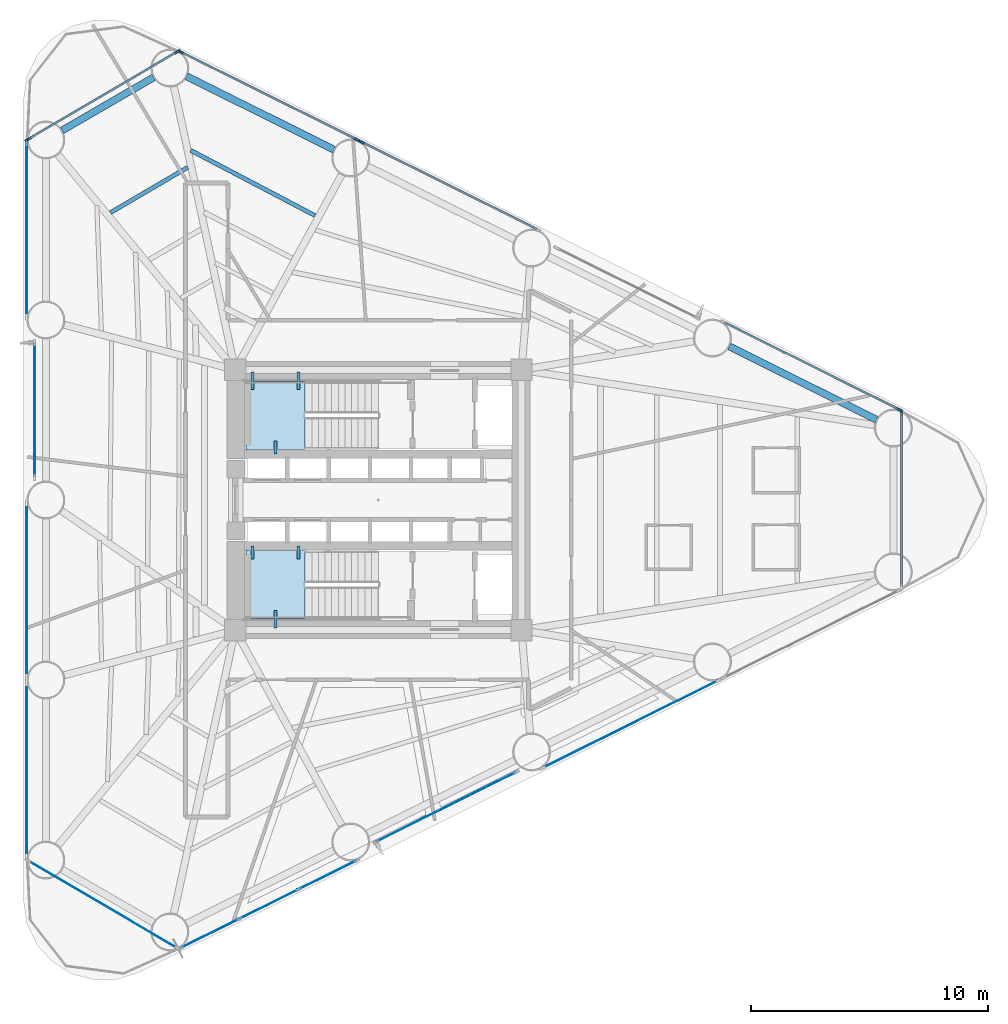
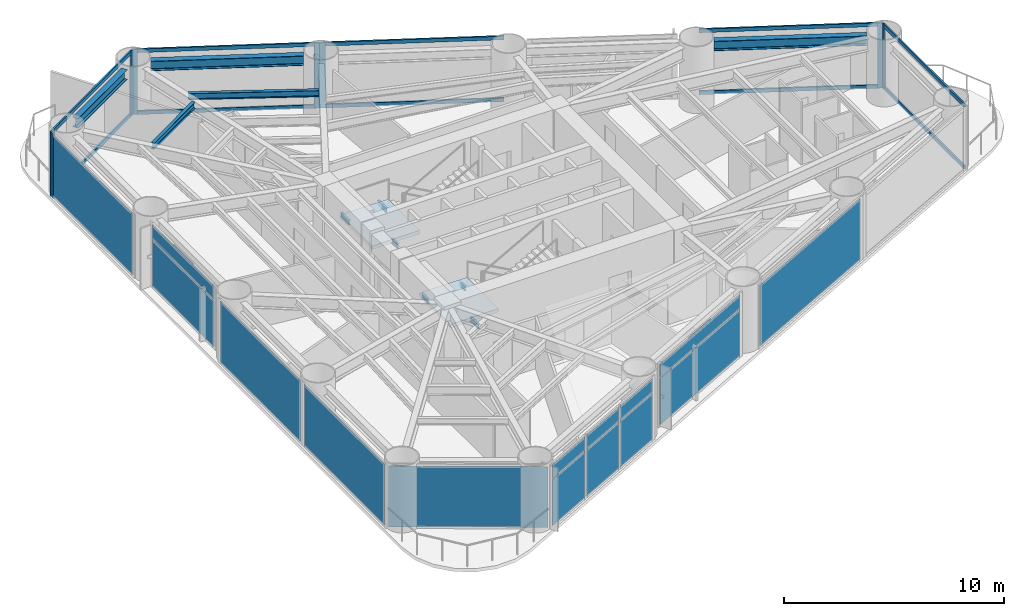
# One storey, part 4 of 11: 18 members, 17 plates, 11 beams, 2 slabs, 15 elements without a shape of their own.
"""IFC4 building model written with IfcOpenShell, lengths in metres."""

from ifc_helpers import new_model, si_unit, direction, frame, origin, origin_2d, place, context, subcontext, project, spatial, polyline, rectangle, i_section, outline, extrude, source, transform, mapped, material, layer, layer_set, material_profile, profile_set, type_object, element, aggregate, save


model = new_model("IFC4")

# Units and contexts
model_context = context("Model", 3, precision=1e-05, world=origin(), true_north=direction((0.0, 1.0)))
body_context = subcontext(model_context, "Body", "Model", "MODEL_VIEW")
ifc_project = project(units=[si_unit("LENGTHUNIT", "METRE"), si_unit("AREAUNIT", "SQUARE_METRE"), si_unit("VOLUMEUNIT", "CUBIC_METRE"), si_unit("PLANEANGLEUNIT", "RADIAN"), si_unit("MASSUNIT", "GRAM", prefix="KILO")], contexts=[model_context])

# Site, building, storey
site_placement = place(None, origin())
site = spatial("IfcSite", under=ifc_project, at=site_placement, CompositionType="ELEMENT")
building_placement = place(site_placement, origin())
building = spatial("IfcBuilding", under=site, at=building_placement, Name="Yunling Apex Tower", CompositionType="ELEMENT")
storey_placement = place(building_placement, frame((0.0, 0.0, 42.300048828125)))
storey = spatial("IfcBuildingStorey", under=building, at=storey_placement, Name="L12", CompositionType="ELEMENT", Elevation=42.300048828125)

# Beams
ifc_material_1 = material(Name="Steel Q355B", Category="steel")
ifc_material_profile_1 = material_profile(ifc_material_1, i_section(OverallWidth=0.125, OverallDepth=0.25, WebThickness=0.006103515625, FlangeThickness=0.009033203125, FilletRadius=0.011962890625, at=origin_2d()))
ifc_profile_set_1 = profile_set([ifc_material_profile_1], Name="Steel Q355B")
beam_type_1 = type_object("IfcBeamType", Name="BL-LNT-1", PredefinedType="LINTEL", material=ifc_profile_set_1)
shared_shape_1 = source(origin(), body_context, "Body", "SweptSolid", [
    extrude(i_section(OverallWidth=0.125, OverallDepth=0.25, WebThickness=0.006103515625, FlangeThickness=0.009033203125, FilletRadius=0.011962890625, at=origin_2d()), origin(), (0.0, 0.0, 1.0), 0.760009765625),
])
for number, where, z_axis, x_axis, name in (
    (1, (-5.320068359375, 5.419921875, 1.530029296875), (0.0, -1.0, 0.0), (1.0, 0.0, 0.0), "L12 ST-1 Landing Bearing Corbel 1-1"),
    (2, (-3.3701171875, 5.419921875, 1.530029296875), (0.0, -1.0, 0.0), (1.0, 0.0, 0.0), "L12 ST-1 Landing Bearing Corbel 1-2"),
    (3, (-4.344970703125, -5.419921875, 1.530029296875), (0.0, 1.0, 0.0), (-1.0, 0.0, 0.0), "L12 ST-2 Landing Bearing Corbel 1-3"),
):
    element("IfcBeam", number, at=place(storey_placement, frame(where, z_axis=z_axis, x_axis=x_axis)), inside=storey, type_object=beam_type_1, Name=name, PredefinedType="LINTEL", context=body_context, shape_type="MappedRepresentation", body=[
        mapped(shared_shape_1, transform((0.0, 0.0, 0.0), scale=1.0)),
    ])
shared_shape_2 = source(origin(), body_context, "Body", "SweptSolid", [
    extrude(i_section(OverallWidth=0.125, OverallDepth=0.25, WebThickness=0.006103515625, FlangeThickness=0.009033203125, FilletRadius=0.011962890625, at=origin_2d()), origin(), (0.0, 0.0, 1.0), 0.550048828125),
])
for number, where, z_axis, x_axis, name in (
    (4, (-4.344970703125, 1.93994140625, 1.530029296875), (0.0, 1.0, 0.0), (-1.0, 0.0, 0.0), "L12 ST-1 Landing Bearing Corbel 1-3"),
    (5, (-5.320068359375, -1.93994140625, 1.530029296875), (0.0, -1.0, 0.0), (1.0, 0.0, 0.0), "L12 ST-2 Landing Bearing Corbel 1-1"),
    (6, (-3.3701171875, -1.93994140625, 1.530029296875), (0.0, -1.0, 0.0), (1.0, 0.0, 0.0), "L12 ST-2 Landing Bearing Corbel 1-2"),
):
    element("IfcBeam", number, at=place(storey_placement, frame(where, z_axis=z_axis, x_axis=x_axis)), inside=storey, type_object=beam_type_1, Name=name, PredefinedType="LINTEL", context=body_context, shape_type="MappedRepresentation", body=[
        mapped(shared_shape_2, transform((0.0, 0.0, 0.0), scale=1.0)),
    ])
ifc_material_profile_2 = material_profile(ifc_material_1, i_section(OverallWidth=0.300048828125, OverallDepth=0.5400390625, WebThickness=0.011962890625, FlangeThickness=0.02001953125, FilletRadius=0.02392578125, at=origin_2d()))
ifc_profile_set_2 = profile_set([ifc_material_profile_2], Name="Steel Q355B")
beam_type_2 = type_object("IfcBeamType", Name="BP-SPN-1", PredefinedType="SPANDREL", material=ifc_profile_set_2)
shared_shape_3 = source(origin(), body_context, "Body", "SweptSolid", [
    extrude(i_section(OverallWidth=0.300048828125, OverallDepth=0.5400390625, WebThickness=0.011962890625, FlangeThickness=0.02001953125, FilletRadius=0.02392578125, at=origin_2d()), origin(), (0.0, 0.0, 1.0), 6.950927734375),
])
for number, where, z_axis, x_axis, name in (
    (7, (21.055419921875, 3.392578125, 3.244873046875), (-0.895247556401, 0.445569088646, 0.0), (-0.445569088646, -0.895247556401, 0.0), "L12 Perimeter Spandrel Beam 6"),
    (8, (-1.8779296875, 14.806884765625, 3.244873046875), (-0.89524058306, 0.445583099368, 0.0), (-0.445583099368, -0.89524058306, 0.0), "L12 Perimeter Spandrel Beam 9"),
):
    element("IfcBeam", number, at=place(storey_placement, frame(where, z_axis=z_axis, x_axis=x_axis)), inside=storey, type_object=beam_type_2, Name=name, PredefinedType="SPANDREL", context=body_context, shape_type="MappedRepresentation", body=[
        mapped(shared_shape_3, transform((0.0, 0.0, 0.0), scale=1.0)),
    ])
shared_shape_4 = source(origin(), body_context, "Body", "SweptSolid", [
    extrude(i_section(OverallWidth=0.300048828125, OverallDepth=0.5400390625, WebThickness=0.011962890625, FlangeThickness=0.02001953125, FilletRadius=0.02392578125, at=origin_2d()), origin(), (0.0, 0.0, 1.0), 4.469970703125),
])
beam_1_placement = place(storey_placement, frame((-9.498291015625, 17.859619140625, 3.244873046875), z_axis=(-0.865055841155, -0.501675584102, 0.0), x_axis=(0.501675584102, -0.865055841155, 0.0)))
element("IfcBeam", 9, at=beam_1_placement, inside=storey, type_object=beam_type_2, Name="L12 Perimeter Spandrel Beam 10", PredefinedType="SPANDREL", context=body_context, shape_type="MappedRepresentation", body=[
    mapped(shared_shape_4, transform((0.0, 0.0, 0.0), scale=1.0)),
])
ifc_material_profile_3 = material_profile(ifc_material_1, i_section(OverallWidth=0.175048828125, OverallDepth=0.35009765625, WebThickness=0.007080078125, FlangeThickness=0.010986328125, FilletRadius=0.013916015625, at=origin_2d()))
ifc_profile_set_3 = profile_set([ifc_material_profile_3], Name="Steel Q355B")
beam_type_3 = type_object("IfcBeamType", Name="BJ-JST-1", PredefinedType="JOIST", material=ifc_profile_set_3)
shared_shape_5 = source(origin(), body_context, "Body", "SweptSolid", [
    extrude(i_section(OverallWidth=0.175048828125, OverallDepth=0.35009765625, WebThickness=0.007080078125, FlangeThickness=0.010986328125, FilletRadius=0.013916015625, at=origin_2d()), origin(), (0.0, 0.0, 1.0), 5.935791015625),
])
beam_2_placement = place(storey_placement, frame((-2.676513671875, 12.02001953125, 3.33984375), z_axis=(-0.885494794786, 0.464649296144, 0.0), x_axis=(-0.464649296144, -0.885494794786, 0.0)))
element("IfcBeam", 10, at=beam_2_placement, inside=storey, type_object=beam_type_3, Name="L12 Composite Floor Joist BJ1-9", PredefinedType="JOIST", context=body_context, shape_type="MappedRepresentation", body=[
    mapped(shared_shape_5, transform((0.0, 0.0, 0.0), scale=1.0)),
])
shared_shape_6 = source(origin(), body_context, "Body", "SweptSolid", [
    extrude(i_section(OverallWidth=0.175048828125, OverallDepth=0.35009765625, WebThickness=0.007080078125, FlangeThickness=0.010986328125, FilletRadius=0.013916015625, at=origin_2d()), origin(), (0.0, 0.0, 1.0), 3.77880859375),
])
beam_3_placement = place(storey_placement, frame((-8.05810546875, 14.05810546875, 3.33984375), z_axis=(-0.862642562353, -0.50581400694, 0.0), x_axis=(0.50581400694, -0.862642562353, 0.0)))
element("IfcBeam", 11, at=beam_3_placement, inside=storey, type_object=beam_type_3, Name="L12 Composite Floor Joist BJ1-10", PredefinedType="JOIST", context=body_context, shape_type="MappedRepresentation", body=[
    mapped(shared_shape_6, transform((0.0, 0.0, 0.0), scale=1.0)),
])

# Curtain wall, member
ifc_material_2 = material(Name="Bronze anodised aluminium", Category="aluminium")
ifc_layer_1 = layer(ifc_material_2, 0.260009765625)
ifc_layer_set_1 = layer_set([ifc_layer_1], Name="Bronze anodised aluminium")
curtain_wall_type = type_object("IfcCurtainWallType", Name="CW-SYS-2", PredefinedType="NOTDEFINED", material=ifc_layer_set_1)
curtain_wall_1_placement = place(storey_placement, origin())
curtain_wall_1 = element("IfcCurtainWall", 12, at=curtain_wall_1_placement, inside=storey, type_object=curtain_wall_type, Name="CW-L12-CRN1", PredefinedType="NOTDEFINED")
ifc_material_profile_4 = material_profile(ifc_material_2, rectangle(XDim=0.0849609375, YDim=0.260009765625, at=origin_2d()))
ifc_profile_set_4 = profile_set([ifc_material_profile_4], Name="Bronze anodised aluminium")
member_type_1 = type_object("IfcMemberType", Name="CW-MUL-2", PredefinedType="MULLION", material=ifc_profile_set_4)
shared_shape_7 = source(origin(), body_context, "Body", "SweptSolid", [
    extrude(rectangle(XDim=0.0849609375, YDim=0.260009765625, at=origin_2d()), origin(), (0.0, 0.0, 1.0), 3.614990234375),
])
member_1_placement = place(storey_placement, frame((22.1181640625, 3.70361328125, -0.050048828125), z_axis=(0.0, 0.0, 1.0), x_axis=(-1.0, 0.0, 0.0)))
member_1 = element("IfcMember", 13, at=member_1_placement, type_object=member_type_1, Name="CW-SYS-2 mullion 2", PredefinedType="MULLION", context=body_context, shape_type="MappedRepresentation", body=[
    mapped(shared_shape_7, transform((0.0, 0.0, 0.0), scale=1.0)),
])

curtain_wall_2_placement = place(storey_placement, origin())
curtain_wall_2 = element("IfcCurtainWall", 14, at=curtain_wall_2_placement, inside=storey, type_object=curtain_wall_type, Name="CW-L12-F2-B1", PredefinedType="NOTDEFINED")
member_2_placement = place(storey_placement, frame((22.017333984375, 3.818603515625, -0.050048828125), z_axis=(0.0, 0.0, 1.0), x_axis=(-0.445580190214, -0.895242031011, 0.0)))
member_2 = element("IfcMember", 15, at=member_2_placement, type_object=member_type_1, Name="CW-SYS-2 mullion 1", PredefinedType="MULLION", context=body_context, shape_type="MappedRepresentation", body=[
    mapped(shared_shape_7, transform((0.0, 0.0, 0.0), scale=1.0)),
])

curtain_wall_3_placement = place(storey_placement, origin())
curtain_wall_3 = element("IfcCurtainWall", 16, at=curtain_wall_3_placement, inside=storey, type_object=curtain_wall_type, Name="CW-L12-F2-B3", PredefinedType="NOTDEFINED")
member_3_placement = place(storey_placement, frame((-0.696533203125, 15.123779296875, -0.050048828125), z_axis=(0.0, 0.0, 1.0), x_axis=(-0.445580190214, -0.895242031011, 0.0)))
member_3 = element("IfcMember", 17, at=member_3_placement, type_object=member_type_1, Name="CW-SYS-2 mullion 2", PredefinedType="MULLION", context=body_context, shape_type="MappedRepresentation", body=[
    mapped(shared_shape_7, transform((0.0, 0.0, 0.0), scale=1.0)),
])

# Curtain wall, members
curtain_wall_4_placement = place(storey_placement, origin())
curtain_wall_4 = element("IfcCurtainWall", 18, at=curtain_wall_4_placement, inside=storey, type_object=curtain_wall_type, Name="CW-L12-F2-B4", PredefinedType="NOTDEFINED")
member_4_placement = place(storey_placement, frame((-0.915771484375, 15.23291015625, -0.050048828125), z_axis=(0.0, 0.0, 1.0), x_axis=(-0.445570625003, -0.895246791748, 0.0)))
member_4 = element("IfcMember", 19, at=member_4_placement, type_object=member_type_1, Name="CW-SYS-2 mullion 1", PredefinedType="MULLION", context=body_context, shape_type="MappedRepresentation", body=[
    mapped(shared_shape_7, transform((0.0, 0.0, 0.0), scale=1.0)),
])
member_5_placement = place(storey_placement, frame((-8.341064453125, 18.928466796875, -0.050048828125), z_axis=(0.0, 0.0, 1.0), x_axis=(-0.445570625003, -0.895246791748, 0.0)))
member_5 = element("IfcMember", 20, at=member_5_placement, type_object=member_type_1, Name="CW-SYS-2 mullion 2", PredefinedType="MULLION", context=body_context, shape_type="MappedRepresentation", body=[
    mapped(shared_shape_7, transform((0.0, 0.0, 0.0), scale=1.0)),
])

curtain_wall_5_placement = place(storey_placement, origin())
curtain_wall_5 = element("IfcCurtainWall", 21, at=curtain_wall_5_placement, inside=storey, type_object=curtain_wall_type, Name="CW-L12-CRN2", PredefinedType="NOTDEFINED")
member_6_placement = place(storey_placement, frame((-8.49609375, 18.943603515625, -0.050048828125), z_axis=(0.0, 0.0, 1.0), x_axis=(0.506195543811, -0.86241873323, 0.0)))
member_6 = element("IfcMember", 22, at=member_6_placement, type_object=member_type_1, Name="CW-SYS-2 mullion 1", PredefinedType="MULLION", context=body_context, shape_type="MappedRepresentation", body=[
    mapped(shared_shape_7, transform((0.0, 0.0, 0.0), scale=1.0)),
])
member_7_placement = place(storey_placement, frame((-14.805419921875, 15.240478515625, -0.050048828125), z_axis=(0.0, 0.0, 1.0), x_axis=(0.506195543811, -0.86241873323, 0.0)))
member_7 = element("IfcMember", 23, at=member_7_placement, type_object=member_type_1, Name="CW-SYS-2 mullion 2", PredefinedType="MULLION", context=body_context, shape_type="MappedRepresentation", body=[
    mapped(shared_shape_7, transform((0.0, 0.0, 0.0), scale=1.0)),
])

# Curtain wall, member
curtain_wall_6_placement = place(storey_placement, origin())
curtain_wall_6 = element("IfcCurtainWall", 24, at=curtain_wall_6_placement, inside=storey, type_object=curtain_wall_type, Name="CW-L12-F3-B1", PredefinedType="NOTDEFINED")
member_8_placement = place(storey_placement, frame((-14.862060546875, 15.096435546875, -0.050048828125), z_axis=(0.0, 0.0, 1.0), x_axis=(1.0, 0.0, 0.0)))
member_8 = element("IfcMember", 25, at=member_8_placement, type_object=member_type_1, Name="CW-SYS-2 mullion 1", PredefinedType="MULLION", context=body_context, shape_type="MappedRepresentation", body=[
    mapped(shared_shape_7, transform((0.0, 0.0, 0.0), scale=1.0)),
])

# Member
ifc_material_profile_5 = material_profile(ifc_material_2, rectangle(XDim=0.0849609375, YDim=0.199951171875, at=origin_2d()))
ifc_profile_set_5 = profile_set([ifc_material_profile_5], Name="Bronze anodised aluminium")
member_type_2 = type_object("IfcMemberType", Name="CW-TRN-2", PredefinedType="USERDEFINED", material=ifc_profile_set_5)
shared_shape_8 = source(origin(), body_context, "Body", "SweptSolid", [
    extrude(rectangle(XDim=0.0849609375, YDim=0.199951171875, at=origin_2d()), origin(), (0.0, 0.0, 1.0), 8.217529296875),
])
member_9_placement = place(storey_placement, frame((6.6943359375, 11.445068359375, 0.04248046875), z_axis=(-0.895239752613, 0.445584767852, 0.0), x_axis=(-0.445584767852, -0.895239752613, 0.0)))
member_9 = element("IfcMember", 26, at=member_9_placement, type_object=member_type_2, Name="CW-SYS-2 transom 1.1", ObjectType="TRANSOM", PredefinedType="USERDEFINED", context=body_context, shape_type="MappedRepresentation", body=[
    mapped(shared_shape_8, transform((0.0, 0.0, 0.0), scale=1.0)),
])

member_10_placement = place(storey_placement, frame((6.6943359375, 11.445068359375, 3.472412109375), z_axis=(-0.895239752613, 0.445584767852, 0.0), x_axis=(-0.445584767852, -0.895239752613, 0.0)))
member_10 = element("IfcMember", 27, at=member_10_placement, type_object=member_type_2, Name="CW-SYS-2 transom 1.2", ObjectType="TRANSOM", PredefinedType="USERDEFINED", context=body_context, shape_type="MappedRepresentation", body=[
    mapped(shared_shape_8, transform((0.0, 0.0, 0.0), scale=1.0)),
])

aggregate(curtain_wall_3, [member_3, member_9, member_10])

shared_shape_9 = source(origin(), body_context, "Body", "SweptSolid", [
    extrude(rectangle(XDim=0.0849609375, YDim=0.199951171875, at=origin_2d()), origin(), (0.0, 0.0, 1.0), 8.21728515625),
])
member_11_placement = place(storey_placement, frame((21.983154296875, 3.835693359375, 0.04248046875), z_axis=(-0.895245705371, 0.445572807761, 0.0), x_axis=(-0.445572807761, -0.895245705371, 0.0)))
member_11 = element("IfcMember", 28, at=member_11_placement, type_object=member_type_2, Name="CW-SYS-2 transom 1.1", ObjectType="TRANSOM", PredefinedType="USERDEFINED", context=body_context, shape_type="MappedRepresentation", body=[
    mapped(shared_shape_9, transform((0.0, 0.0, 0.0), scale=1.0)),
])

member_12_placement = place(storey_placement, frame((21.983154296875, 3.835693359375, 3.472412109375), z_axis=(-0.895245705371, 0.445572807761, 0.0), x_axis=(-0.445572807761, -0.895245705371, 0.0)))
member_12 = element("IfcMember", 29, at=member_12_placement, type_object=member_type_2, Name="CW-SYS-2 transom 1.2", ObjectType="TRANSOM", PredefinedType="USERDEFINED", context=body_context, shape_type="MappedRepresentation", body=[
    mapped(shared_shape_9, transform((0.0, 0.0, 0.0), scale=1.0)),
])

aggregate(curtain_wall_2, [member_2, member_11, member_12])

member_13_placement = place(storey_placement, frame((-0.9501953125, 15.25, 0.04248046875), z_axis=(-0.895245705371, 0.445572807761, 0.0), x_axis=(-0.445572807761, -0.895245705371, 0.0)))
member_13 = element("IfcMember", 30, at=member_13_placement, type_object=member_type_2, Name="CW-SYS-2 transom 1.1", ObjectType="TRANSOM", PredefinedType="USERDEFINED", context=body_context, shape_type="MappedRepresentation", body=[
    mapped(shared_shape_9, transform((0.0, 0.0, 0.0), scale=1.0)),
])

member_14_placement = place(storey_placement, frame((-0.9501953125, 15.25, 3.472412109375), z_axis=(-0.895245705371, 0.445572807761, 0.0), x_axis=(-0.445572807761, -0.895245705371, 0.0)))
member_14 = element("IfcMember", 31, at=member_14_placement, type_object=member_type_2, Name="CW-SYS-2 transom 1.2", ObjectType="TRANSOM", PredefinedType="USERDEFINED", context=body_context, shape_type="MappedRepresentation", body=[
    mapped(shared_shape_9, transform((0.0, 0.0, 0.0), scale=1.0)),
])

aggregate(curtain_wall_4, [member_4, member_5, member_13, member_14])

shared_shape_10 = source(origin(), body_context, "Body", "SweptSolid", [
    extrude(rectangle(XDim=0.0849609375, YDim=0.199951171875, at=origin_2d()), origin(), (0.0, 0.0, 1.0), 7.33056640625),
])
member_15_placement = place(storey_placement, frame((22.1181640625, -3.665283203125, 0.04248046875), z_axis=(0.0, 1.0, 0.0), x_axis=(-1.0, 0.0, 0.0)))
member_15 = element("IfcMember", 32, at=member_15_placement, type_object=member_type_2, Name="CW-SYS-2 transom 1.1", ObjectType="TRANSOM", PredefinedType="USERDEFINED", context=body_context, shape_type="MappedRepresentation", body=[
    mapped(shared_shape_10, transform((0.0, 0.0, 0.0), scale=1.0)),
])

member_16_placement = place(storey_placement, frame((22.1181640625, -3.665283203125, 3.472412109375), z_axis=(0.0, 1.0, 0.0), x_axis=(-1.0, 0.0, 0.0)))
member_16 = element("IfcMember", 33, at=member_16_placement, type_object=member_type_2, Name="CW-SYS-2 transom 1.2", ObjectType="TRANSOM", PredefinedType="USERDEFINED", context=body_context, shape_type="MappedRepresentation", body=[
    mapped(shared_shape_10, transform((0.0, 0.0, 0.0), scale=1.0)),
])

aggregate(curtain_wall_1, [member_1, member_15, member_16])

shared_shape_11 = source(origin(), body_context, "Body", "SweptSolid", [
    extrude(rectangle(XDim=0.0849609375, YDim=0.199951171875, at=origin_2d()), origin(), (0.0, 0.0, 1.0), 7.239501953125),
])
member_17_placement = place(storey_placement, frame((-8.529052734375, 18.92431640625, 0.04248046875), z_axis=(-0.862419304353, -0.506194570772, 0.0), x_axis=(0.506194570772, -0.862419304353, 0.0)))
member_17 = element("IfcMember", 34, at=member_17_placement, type_object=member_type_2, Name="CW-SYS-2 transom 1.1", ObjectType="TRANSOM", PredefinedType="USERDEFINED", context=body_context, shape_type="MappedRepresentation", body=[
    mapped(shared_shape_11, transform((0.0, 0.0, 0.0), scale=1.0)),
])

member_18_placement = place(storey_placement, frame((-8.529052734375, 18.92431640625, 3.472412109375), z_axis=(-0.862419304353, -0.506194570772, 0.0), x_axis=(0.506194570772, -0.862419304353, 0.0)))
member_18 = element("IfcMember", 35, at=member_18_placement, type_object=member_type_2, Name="CW-SYS-2 transom 1.2", ObjectType="TRANSOM", PredefinedType="USERDEFINED", context=body_context, shape_type="MappedRepresentation", body=[
    mapped(shared_shape_11, transform((0.0, 0.0, 0.0), scale=1.0)),
])

aggregate(curtain_wall_5, [member_6, member_7, member_17, member_18])

# Stair, slab
ifc_material_3 = material(Name="Concrete C40", Category="concrete")
stair_type = type_object("IfcStairType", Name="ST-TWR-1", PredefinedType="HALF_TURN_STAIR", material=ifc_material_3)
stair_1_placement = place(storey_placement, origin())
stair_1 = element("IfcStair", 36, at=stair_1_placement, inside=storey, type_object=stair_type, Name="L12 North Core Smokeproof Exit Stair ST-1", PredefinedType="HALF_TURN_STAIR")
ifc_layer_2 = layer(ifc_material_3, 0.195068359375)
ifc_layer_set_2 = layer_set([ifc_layer_2], Name="Concrete C40")
slab_type = type_object("IfcSlabType", Name="SL-LND-1", PredefinedType="LANDING", material=ifc_layer_set_2)
slab_1_placement = place(storey_placement, frame((0.0, 0.0, 1.655029296875)))
slab_1 = element("IfcSlab", 37, at=slab_1_placement, type_object=slab_type, Name="ST-1 landing 1", PredefinedType="LANDING", context=body_context, shape_type="SweptSolid", body=[
    extrude(outline(polyline([(-3.090087890625, 5.010009765625), (-5.60009765625, 5.010009765625), (-5.60009765625, 2.139892578125), (-3.090087890625, 2.139892578125), (-3.090087890625, 5.010009765625)])), origin(), (0.0, 0.0, 1.0), 0.19482421875),
])
aggregate(stair_1, [slab_1])

stair_2_placement = place(storey_placement, origin())
stair_2 = element("IfcStair", 38, at=stair_2_placement, inside=storey, type_object=stair_type, Name="L12 South Core Smokeproof Exit Stair ST-2", PredefinedType="HALF_TURN_STAIR")
slab_2_placement = place(storey_placement, frame((0.0, 0.0, 1.655029296875)))
slab_2 = element("IfcSlab", 39, at=slab_2_placement, type_object=slab_type, Name="ST-2 landing 1", PredefinedType="LANDING", context=body_context, shape_type="SweptSolid", body=[
    extrude(outline(polyline([(-3.090087890625, -2.139892578125), (-5.60009765625, -2.139892578125), (-5.60009765625, -5.010009765625), (-3.090087890625, -5.010009765625), (-3.090087890625, -2.139892578125)])), origin(), (0.0, 0.0, 1.0), 0.19482421875),
])
aggregate(stair_2, [slab_2])

# Curtain wall, plates
curtain_wall_7_placement = place(storey_placement, origin())
curtain_wall_7 = element("IfcCurtainWall", 40, at=curtain_wall_7_placement, inside=storey, type_object=curtain_wall_type, Name="CW-L12-F1-B1", PredefinedType="NOTDEFINED")
ifc_material_4 = material(Name="Bronze tinted low-E glass", Category="glass")
ifc_layer_3 = layer(ifc_material_4, 0.033935546875)
ifc_layer_set_3 = layer_set([ifc_layer_3], Name="Bronze tinted low-E glass")
plate_type_1 = type_object("IfcPlateType", Name="CW-PNL-2", PredefinedType="CURTAIN_PANEL", material=ifc_layer_set_3)
shared_shape_12 = source(origin(), body_context, "Body", "SweptSolid", [
    extrude(rectangle(XDim=2.681884765625, YDim=0.033935546875, at=origin_2d()), origin(), (0.0, 0.0, 1.0), 2.560302734375),
])
plate_1_placement = place(storey_placement, frame((-7.10986328125, -18.315673828125, 0.07666015625), z_axis=(0.0, 0.0, 1.0), x_axis=(0.895246791748, 0.445570625003, 0.0)))
plate_1 = element("IfcPlate", 41, at=plate_1_placement, type_object=plate_type_1, Name="CW-SYS-2 panel 1.1", PredefinedType="CURTAIN_PANEL", context=body_context, shape_type="MappedRepresentation", body=[
    mapped(shared_shape_12, transform((0.0, 0.0, 0.0), scale=1.0)),
])
plate_2_placement = place(storey_placement, frame((-2.14697265625, -15.845703125, 0.07666015625), z_axis=(0.0, 0.0, 1.0), x_axis=(0.895246791748, 0.445570625003, 0.0)))
plate_2 = element("IfcPlate", 42, at=plate_2_placement, type_object=plate_type_1, Name="CW-SYS-2 panel 3.1", PredefinedType="CURTAIN_PANEL", context=body_context, shape_type="MappedRepresentation", body=[
    mapped(shared_shape_12, transform((0.0, 0.0, 0.0), scale=1.0)),
])
shared_shape_13 = source(origin(), body_context, "Body", "SweptSolid", [
    extrude(rectangle(XDim=2.681884765625, YDim=0.033935546875, at=origin_2d()), origin(), (0.0, 0.0, 1.0), 0.732666015625),
])
plate_3_placement = place(storey_placement, frame((-7.10986328125, -18.315673828125, 2.70556640625), z_axis=(0.0, 0.0, 1.0), x_axis=(0.895246791748, 0.445570625003, 0.0)))
plate_3 = element("IfcPlate", 43, at=plate_3_placement, type_object=plate_type_1, Name="CW-SYS-2 panel 1.2", PredefinedType="CURTAIN_PANEL", context=body_context, shape_type="MappedRepresentation", body=[
    mapped(shared_shape_13, transform((0.0, 0.0, 0.0), scale=1.0)),
])
plate_4_placement = place(storey_placement, frame((-2.14697265625, -15.845703125, 2.70556640625), z_axis=(0.0, 0.0, 1.0), x_axis=(0.895246791748, 0.445570625003, 0.0)))
plate_4 = element("IfcPlate", 44, at=plate_4_placement, type_object=plate_type_1, Name="CW-SYS-2 panel 3.2", PredefinedType="CURTAIN_PANEL", context=body_context, shape_type="MappedRepresentation", body=[
    mapped(shared_shape_13, transform((0.0, 0.0, 0.0), scale=1.0)),
])
shared_shape_14 = source(origin(), body_context, "Body", "SweptSolid", [
    extrude(rectangle(XDim=2.724365234375, YDim=0.033935546875, at=origin_2d()), origin(), (0.0, 0.0, 1.0), 2.560302734375),
])
plate_5_placement = place(storey_placement, frame((-4.62841796875, -17.08056640625, 0.07666015625), z_axis=(0.0, 0.0, 1.0), x_axis=(0.895246791748, 0.445570625003, 0.0)))
plate_5 = element("IfcPlate", 45, at=plate_5_placement, type_object=plate_type_1, Name="CW-SYS-2 panel 2.1", PredefinedType="CURTAIN_PANEL", context=body_context, shape_type="MappedRepresentation", body=[
    mapped(shared_shape_14, transform((0.0, 0.0, 0.0), scale=1.0)),
])
shared_shape_15 = source(origin(), body_context, "Body", "SweptSolid", [
    extrude(rectangle(XDim=2.724365234375, YDim=0.033935546875, at=origin_2d()), origin(), (0.0, 0.0, 1.0), 0.732666015625),
])
plate_6_placement = place(storey_placement, frame((-4.62841796875, -17.08056640625, 2.70556640625), z_axis=(0.0, 0.0, 1.0), x_axis=(0.895246791748, 0.445570625003, 0.0)))
plate_6 = element("IfcPlate", 46, at=plate_6_placement, type_object=plate_type_1, Name="CW-SYS-2 panel 2.2", PredefinedType="CURTAIN_PANEL", context=body_context, shape_type="MappedRepresentation", body=[
    mapped(shared_shape_15, transform((0.0, 0.0, 0.0), scale=1.0)),
])
aggregate(curtain_wall_7, [plate_1, plate_3, plate_5, plate_6, plate_2, plate_4])

# Curtain wall, plate
curtain_wall_8_placement = place(storey_placement, origin())
curtain_wall_8 = element("IfcCurtainWall", 47, at=curtain_wall_8_placement, inside=storey, type_object=curtain_wall_type, Name="CW-L12-F1-B3", PredefinedType="NOTDEFINED")
shared_shape_16 = source(origin(), body_context, "Body", "SweptSolid", [
    extrude(rectangle(XDim=8.225341796875, YDim=0.033935546875, at=origin_2d()), origin(), (0.0, 0.0, 1.0), 3.361572265625),
])
plate_7_placement = place(storey_placement, frame((10.660400390625, -9.47119140625, 0.07666015625), z_axis=(0.0, 0.0, 1.0), x_axis=(0.895246791748, 0.445570625003, 0.0)))
plate_7 = element("IfcPlate", 48, at=plate_7_placement, type_object=plate_type_1, Name="CW-SYS-2 panel 1.1", PredefinedType="CURTAIN_PANEL", context=body_context, shape_type="MappedRepresentation", body=[
    mapped(shared_shape_16, transform((0.0, 0.0, 0.0), scale=1.0)),
])
aggregate(curtain_wall_8, [plate_7])

curtain_wall_9_placement = place(storey_placement, origin())
curtain_wall_9 = element("IfcCurtainWall", 49, at=curtain_wall_9_placement, inside=storey, type_object=curtain_wall_type, Name="CW-L12-CRN3", PredefinedType="NOTDEFINED")
shared_shape_17 = source(origin(), body_context, "Body", "SweptSolid", [
    extrude(rectangle(XDim=7.247314453125, YDim=0.033935546875, at=origin_2d()), origin(), (0.0, 0.0, 1.0), 3.361572265625),
])
plate_8_placement = place(storey_placement, frame((-11.650634765625, -17.092041015625, 0.07666015625), z_axis=(0.0, 0.0, 1.0), x_axis=(0.86241873323, -0.506195543811, 0.0)))
plate_8 = element("IfcPlate", 50, at=plate_8_placement, type_object=plate_type_1, Name="CW-SYS-2 panel 1.1", PredefinedType="CURTAIN_PANEL", context=body_context, shape_type="MappedRepresentation", body=[
    mapped(shared_shape_17, transform((0.0, 0.0, 0.0), scale=1.0)),
])
aggregate(curtain_wall_9, [plate_8])

# Plate
shared_shape_18 = source(origin(), body_context, "Body", "SweptSolid", [
    extrude(rectangle(XDim=7.2958984375, YDim=0.033935546875, at=origin_2d()), origin(), (0.0, 0.0, 1.0), 3.361572265625),
])
plate_9_placement = place(storey_placement, frame((-14.862060546875, 11.414306640625, 0.07666015625), z_axis=(0.0, 0.0, 1.0), x_axis=(0.0, -1.0, 0.0)))
plate_9 = element("IfcPlate", 51, at=plate_9_placement, type_object=plate_type_1, Name="CW-SYS-2 panel 1.1", PredefinedType="CURTAIN_PANEL", context=body_context, shape_type="MappedRepresentation", body=[
    mapped(shared_shape_18, transform((0.0, 0.0, 0.0), scale=1.0)),
])

aggregate(curtain_wall_6, [member_8, plate_9])

# Curtain wall, plate
curtain_wall_10_placement = place(storey_placement, origin())
curtain_wall_10 = element("IfcCurtainWall", 52, at=curtain_wall_10_placement, inside=storey, type_object=curtain_wall_type, Name="CW-L12-F3-B3", PredefinedType="NOTDEFINED")
plate_10_placement = place(storey_placement, frame((-14.862060546875, -3.8046875, 0.07666015625), z_axis=(0.0, 0.0, 1.0), x_axis=(0.0, -1.0, 0.0)))
plate_10 = element("IfcPlate", 53, at=plate_10_placement, type_object=plate_type_1, Name="CW-SYS-2 panel 1.1", PredefinedType="CURTAIN_PANEL", context=body_context, shape_type="MappedRepresentation", body=[
    mapped(shared_shape_18, transform((0.0, 0.0, 0.0), scale=1.0)),
])
aggregate(curtain_wall_10, [plate_10])

curtain_wall_11_placement = place(storey_placement, origin())
curtain_wall_11 = element("IfcCurtainWall", 54, at=curtain_wall_11_placement, inside=storey, type_object=curtain_wall_type, Name="CW-L12-F3-B4", PredefinedType="NOTDEFINED")
plate_11_placement = place(storey_placement, frame((-14.862060546875, -11.414306640625, 0.07666015625), z_axis=(0.0, 0.0, 1.0), x_axis=(0.0, -1.0, 0.0)))
plate_11 = element("IfcPlate", 55, at=plate_11_placement, type_object=plate_type_1, Name="CW-SYS-2 panel 1.1", PredefinedType="CURTAIN_PANEL", context=body_context, shape_type="MappedRepresentation", body=[
    mapped(shared_shape_18, transform((0.0, 0.0, 0.0), scale=1.0)),
])
aggregate(curtain_wall_11, [plate_11])

# Curtain wall, plates
curtain_wall_12_placement = place(storey_placement, origin())
curtain_wall_12 = element("IfcCurtainWall", 56, at=curtain_wall_12_placement, inside=storey, type_object=curtain_wall_type, Name="CW-L12-F1-B2", PredefinedType="NOTDEFINED")
shared_shape_19 = source(origin(), body_context, "Body", "SweptSolid", [
    extrude(rectangle(XDim=6.545654296875, YDim=0.033935546875, at=origin_2d()), origin(), (0.0, 0.0, 1.0), 2.560302734375),
])
plate_12_placement = place(storey_placement, frame((2.864501953125, -12.971435546875, 0.07666015625), z_axis=(0.0, 0.0, 1.0), x_axis=(0.895240741459, 0.445582781121, 0.0)))
plate_12 = element("IfcPlate", 57, at=plate_12_placement, type_object=plate_type_1, Name="CW-SYS-2 panel 1.1", PredefinedType="CURTAIN_PANEL", context=body_context, shape_type="MappedRepresentation", body=[
    mapped(shared_shape_19, transform((0.0, 0.0, 0.0), scale=1.0)),
])
shared_shape_20 = source(origin(), body_context, "Body", "SweptSolid", [
    extrude(rectangle(XDim=6.545654296875, YDim=0.033935546875, at=origin_2d()), origin(), (0.0, 0.0, 1.0), 0.732666015625),
])
plate_13_placement = place(storey_placement, frame((2.864501953125, -12.971435546875, 2.70556640625), z_axis=(0.0, 0.0, 1.0), x_axis=(0.895240741459, 0.445582781121, 0.0)))
plate_13 = element("IfcPlate", 58, at=plate_13_placement, type_object=plate_type_1, Name="CW-SYS-2 panel 1.2", PredefinedType="CURTAIN_PANEL", context=body_context, shape_type="MappedRepresentation", body=[
    mapped(shared_shape_20, transform((0.0, 0.0, 0.0), scale=1.0)),
])
aggregate(curtain_wall_12, [plate_12, plate_13])

curtain_wall_13_placement = place(storey_placement, origin())
curtain_wall_13 = element("IfcCurtainWall", 59, at=curtain_wall_13_placement, inside=storey, type_object=curtain_wall_type, Name="CW-L12-F3-B2", PredefinedType="NOTDEFINED")
shared_shape_21 = source(origin(), body_context, "Body", "SweptSolid", [
    extrude(rectangle(XDim=5.615966796875, YDim=0.033935546875, at=origin_2d()), origin(), (0.0, 0.0, 1.0), 2.560302734375),
])
plate_14_placement = place(storey_placement, frame((-14.52197265625, 3.8046875, 0.07666015625), z_axis=(0.0, 0.0, 1.0), x_axis=(0.0, -1.0, 0.0)))
plate_14 = element("IfcPlate", 60, at=plate_14_placement, type_object=plate_type_1, Name="CW-SYS-2 panel 1.1", PredefinedType="CURTAIN_PANEL", context=body_context, shape_type="MappedRepresentation", body=[
    mapped(shared_shape_21, transform((0.0, 0.0, 0.0), scale=1.0)),
])
shared_shape_22 = source(origin(), body_context, "Body", "SweptSolid", [
    extrude(rectangle(XDim=5.615966796875, YDim=0.033935546875, at=origin_2d()), origin(), (0.0, 0.0, 1.0), 0.732666015625),
])
plate_15_placement = place(storey_placement, frame((-14.52197265625, 3.8046875, 2.70556640625), z_axis=(0.0, 0.0, 1.0), x_axis=(0.0, -1.0, 0.0)))
plate_15 = element("IfcPlate", 61, at=plate_15_placement, type_object=plate_type_1, Name="CW-SYS-2 panel 1.2", PredefinedType="CURTAIN_PANEL", context=body_context, shape_type="MappedRepresentation", body=[
    mapped(shared_shape_22, transform((0.0, 0.0, 0.0), scale=1.0)),
])
aggregate(curtain_wall_13, [plate_14, plate_15])

# Plates
ifc_layer_4 = layer(ifc_material_2, 0.011962890625)
ifc_layer_set_4 = layer_set([ifc_layer_4], Name="Bronze anodised aluminium")
plate_type_2 = type_object("IfcPlateType", Name="SP-SHT-1", PredefinedType="SHEET", material=ifc_layer_set_4)
shared_shape_23 = source(origin(), body_context, "Body", "SweptSolid", [
    extrude(rectangle(XDim=1.800048828125, YDim=0.02392578125, at=origin_2d()), origin(), (0.0, 0.0, 1.0), 0.43994140625),
])
for number, where, z_axis, x_axis, name in (
    (62, (2.864501953125, -12.971435546875, 3.114990234375), (0.0, 0.0, 1.0), (0.895245648325, 0.445572922377, 0.0), "SP-GRV-L12-F1"),
    (63, (-14.52197265625, 3.8046875, 3.114990234375), (0.0, 0.0, 1.0), (0.0, -1.0, 0.0), "SP-GRV-L12-F3"),
):
    element("IfcPlate", number, at=place(storey_placement, frame(where, z_axis=z_axis, x_axis=x_axis)), inside=storey, type_object=plate_type_2, Name=name, PredefinedType="SHEET", context=body_context, shape_type="MappedRepresentation", body=[
        mapped(shared_shape_23, transform((0.0, 0.0, 0.0), scale=1.0)),
    ])

save(model, "model.ifc")
